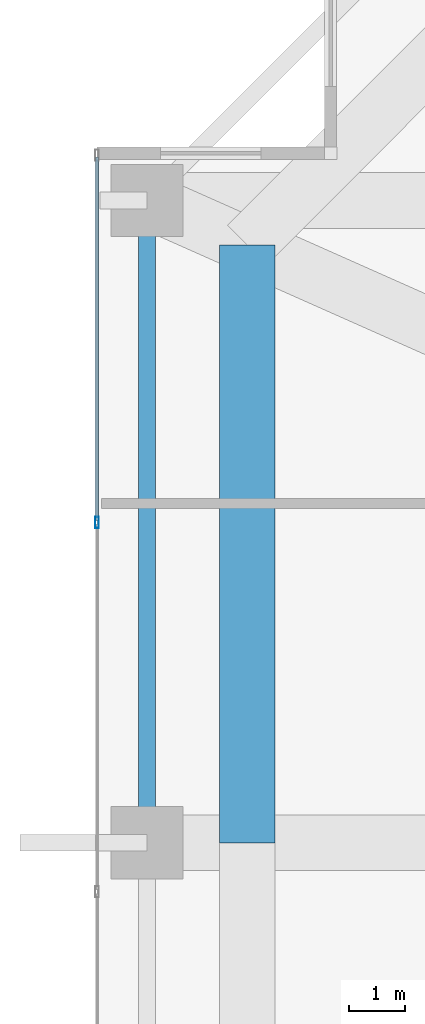
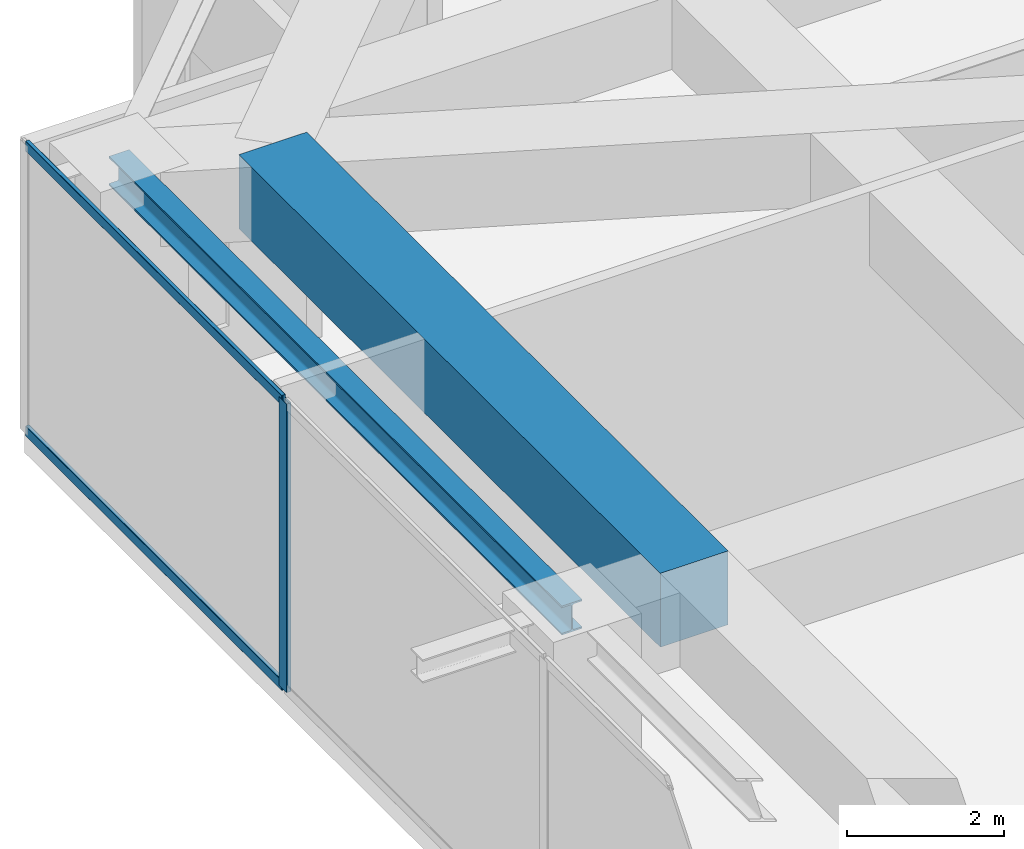
# One storey, part 18 of 35: 3 members, 2 beams, 1 element without a shape of its own.
"""IFC4 building model written with IfcOpenShell, lengths in metres."""

import ifcopenshell
import ifcopenshell.guid

model = None  # the IFC model being written
_history = None  # IfcOwnerHistory: only IFC2X3 demands one
_inside = {}  # id of a spatial element -> (the spatial element, [elements in it])
_under = {}  # id of a project, library or spatial element -> (it, [spatial elements below it])
_declared = {}  # id of a project -> (the project, [libraries it declares])
_typed = {}  # id of a type object -> (the type object, [elements of that type])
_made_of = {}  # id of a material, layer set ... -> (it, [elements and type objects made of it])


def new_model(schema):
    """Start an empty IFC model of exactly this schema.

    Asked for "IFC4X3", IfcOpenShell would pick the latest addendum, in which some entities
    have other attributes; the version numbers below select the first issue.
    IFC2X3 requires an IfcOwnerHistory on every rooted entity: one is made here for all.
    """
    global model, _history
    if schema == "IFC4X3":
        model = ifcopenshell.file(schema_version=(4, 3, 0, 0))
    else:
        model = ifcopenshell.file(schema=schema)
    _inside.clear()
    _under.clear()
    _declared.clear()
    _typed.clear()
    _made_of.clear()
    _history = None
    if model.schema == "IFC2X3":
        org = make("IfcOrganization", Name="unknown")
        user = make(
            "IfcPersonAndOrganization",
            ThePerson=make("IfcPerson", FamilyName="unknown"),
            TheOrganization=org,
        )
        app = make(
            "IfcApplication",
            ApplicationDeveloper=org,
            Version="unknown",
            ApplicationFullName="unknown",
            ApplicationIdentifier="unknown",
        )
        _history = make(
            "IfcOwnerHistory",
            OwningUser=user,
            OwningApplication=app,
            ChangeAction="ADDED",
            CreationDate=0,
        )
    return model


def make(cls, **values):
    """One entity of the class cls with the attributes given. An attribute that is None is left unset."""
    return model.create_entity(
        cls, **{name: value for name, value in values.items() if value is not None}
    )


def rooted(cls, **values):
    """An entity with a GlobalId (a new one), such as an element, a storey or a relation."""
    return make(cls, GlobalId=ifcopenshell.guid.new(), OwnerHistory=_history, **values)


def si_unit(unit_type, name, prefix=None):
    """IfcSIUnit, for example si_unit("LENGTHUNIT", "METRE", prefix="MILLI")."""
    return make("IfcSIUnit", UnitType=unit_type, Prefix=prefix, Name=name)


def assignment(units):
    """IfcUnitAssignment: the units of a project."""
    return None if units is None else make("IfcUnitAssignment", Units=units)


def point(xyz):
    """IfcCartesianPoint."""
    return None if xyz is None else make("IfcCartesianPoint", Coordinates=xyz)


def direction(xyz):
    """IfcDirection."""
    return None if xyz is None else make("IfcDirection", DirectionRatios=xyz)


def frame(location, z_axis=None, x_axis=None):
    """IfcAxis2Placement3D, a coordinate frame: its origin and axes. An axis left out is left unset."""
    return make(
        "IfcAxis2Placement3D",
        Location=point(location),
        Axis=direction(z_axis),
        RefDirection=direction(x_axis),
    )


def frame_2d(location, x_axis=None):
    """IfcAxis2Placement2D, a coordinate frame in the plane: its origin and x axis."""
    return make(
        "IfcAxis2Placement2D", Location=point(location), RefDirection=direction(x_axis)
    )


def origin():
    """The frame at (0, 0, 0) with its axes left unset."""
    return frame((0.0, 0.0, 0.0))


def origin_2d():
    """The frame at (0, 0) in the plane with its x axis left unset."""
    return frame_2d((0.0, 0.0))


def place(relative_to, where):
    """IfcLocalPlacement: puts the frame where relative to a parent placement (None: the world)."""
    return make(
        "IfcLocalPlacement", PlacementRelTo=relative_to, RelativePlacement=where
    )


def context(
    kind, dimensions, precision=None, world=None, true_north=None, identifier=None
):
    """IfcGeometricRepresentationContext, for example the 3D "Model" context."""
    return make(
        "IfcGeometricRepresentationContext",
        ContextIdentifier=identifier,
        ContextType=kind,
        CoordinateSpaceDimension=dimensions,
        Precision=precision,
        WorldCoordinateSystem=world,
        TrueNorth=true_north,
    )


def subcontext(parent, identifier, kind, view, scale=None):
    """IfcGeometricRepresentationSubContext, for example "Body" below "Model"."""
    return make(
        "IfcGeometricRepresentationSubContext",
        ContextIdentifier=identifier,
        ContextType=kind,
        ParentContext=parent,
        TargetScale=scale,
        TargetView=view,
    )


def project(units=None, contexts=None):
    """IfcProject with its units and contexts."""
    return rooted(
        "IfcProject",
        Name="project",
        RepresentationContexts=contexts,
        UnitsInContext=assignment(units),
    )


def spatial(cls, under=None, at=None, **own):
    """A site, building, storey or space (cls), placed at a placement, below another one or the project."""
    s = rooted(cls, ObjectPlacement=at, **own)
    if under is not None:
        _under.setdefault(under.id(), (under, []))[1].append(s)
    return s


def profile(cls, at=None, kind="AREA", **sizes):
    """A parametric profile (cls). Its sizes go by their IFC names, for example OverallWidth=200.0."""
    return make(cls, ProfileType=kind, Position=at, **sizes)


def rectangle(**sizes):
    """IfcRectangleProfileDef."""
    return profile("IfcRectangleProfileDef", **sizes)


def hollow_rectangle(**sizes):
    """IfcRectangleHollowProfileDef."""
    return profile("IfcRectangleHollowProfileDef", **sizes)


def i_section(**sizes):
    """IfcIShapeProfileDef."""
    return profile("IfcIShapeProfileDef", **sizes)


def extrude(swept, where, along, depth):
    """IfcExtrudedAreaSolid: the profile swept, set in the frame where, extruded along a direction by depth."""
    return make(
        "IfcExtrudedAreaSolid",
        SweptArea=swept,
        Position=where,
        ExtrudedDirection=direction(along),
        Depth=depth,
    )


def shape(context_of_items, identifier, shape_type, items):
    """IfcShapeRepresentation: the items that make up one representation, for example the "Body"."""
    return make(
        "IfcShapeRepresentation",
        ContextOfItems=context_of_items,
        RepresentationIdentifier=identifier,
        RepresentationType=shape_type,
        Items=items,
    )


def source(mapping_origin, context_of_items, identifier, shape_type, items):
    """IfcRepresentationMap: a shape defined once, which mapped items show again and again."""
    return make(
        "IfcRepresentationMap",
        MappingOrigin=mapping_origin,
        MappedRepresentation=shape(context_of_items, identifier, shape_type, items),
    )


def transform(
    local_origin,
    x_axis=None,
    y_axis=None,
    z_axis=None,
    scale=None,
    scale2=None,
    scale3=None,
    uniform=True,
):
    """IfcCartesianTransformationOperator3D, or its non-uniform kind. x_axis, y_axis, z_axis: its Axis1, 2, 3."""
    if uniform:
        return make(
            "IfcCartesianTransformationOperator3D",
            Axis1=direction(x_axis),
            Axis2=direction(y_axis),
            LocalOrigin=point(local_origin),
            Scale=scale,
            Axis3=direction(z_axis),
        )
    return make(
        "IfcCartesianTransformationOperator3DnonUniform",
        Axis1=direction(x_axis),
        Axis2=direction(y_axis),
        LocalOrigin=point(local_origin),
        Scale=scale,
        Axis3=direction(z_axis),
        Scale2=scale2,
        Scale3=scale3,
    )


def mapped(mapping_source, mapping_target):
    """IfcMappedItem: shows the shape of a source again, moved by a transform."""
    return make(
        "IfcMappedItem", MappingSource=mapping_source, MappingTarget=mapping_target
    )


def material(Name=None, Category=None):
    """IfcMaterial."""
    return make("IfcMaterial", Name=Name, Category=Category)


def layer(
    of_material, thickness, ventilated=None, Name=None, Category=None, Priority=None
):
    """IfcMaterialLayer: one layer of a wall or slab, of a material (None: an air gap)."""
    return make(
        "IfcMaterialLayer",
        Material=of_material,
        LayerThickness=thickness,
        IsVentilated=ventilated,
        Name=Name,
        Category=Category,
        Priority=Priority,
    )


def layer_set(layers, Name=None):
    """IfcMaterialLayerSet."""
    return make("IfcMaterialLayerSet", MaterialLayers=layers, LayerSetName=Name)


def material_profile(
    of_material, cross_section, Name=None, Category=None, Priority=None
):
    """IfcMaterialProfile: a cross section and its material."""
    return make(
        "IfcMaterialProfile",
        Name=Name,
        Material=of_material,
        Profile=cross_section,
        Priority=Priority,
        Category=Category,
    )


def profile_set(profiles, Name=None, composite=None):
    """IfcMaterialProfileSet."""
    return make(
        "IfcMaterialProfileSet",
        Name=Name,
        MaterialProfiles=profiles,
        CompositeProfile=composite,
    )


def made_of(thing, what):
    """Note that an element or type object is made of a material, layer set ...; save() writes the relation."""
    if what is not None:
        _made_of.setdefault(what.id(), (what, []))[1].append(thing)
    return thing


def type_object(cls, material=None, **own):
    """A type object (cls), such as IfcWallType, which elements share."""
    return made_of(rooted(cls, **own), material)


def element(
    cls,
    number,
    at=None,
    inside=None,
    cuts=None,
    type_object=None,
    material=None,
    context=None,
    identifier="Body",
    shape_type=None,
    held_by="IfcProductDefinitionShape",
    body=None,
    shapes=None,
    **own,
):
    """One element of the class cls, such as IfcWall. Its Tag is "e" and its number.

    at: its placement. inside: the storey or other place that contains it. cuts: it is an
    opening in that element (IfcRelVoidsElement). A single representation is given by context,
    identifier, shape_type and body (its items); several are given by shapes. held_by: the class
    of the entity that holds the representations. save() writes the other relations.
    """
    e = rooted(cls, Tag="e%d" % number, ObjectPlacement=at, **own)
    if body is not None:
        shapes = [shape(context, identifier, shape_type, body)]
    if shapes is not None:
        e.Representation = make(held_by, Representations=shapes)
    if inside is not None:
        _inside.setdefault(inside.id(), (inside, []))[1].append(e)
    if cuts is not None:
        rooted(
            "IfcRelVoidsElement", RelatingBuildingElement=cuts, RelatedOpeningElement=e
        )
    if type_object is not None:
        _typed.setdefault(type_object.id(), (type_object, []))[1].append(e)
    return made_of(e, material)


def aggregate(whole, parts):
    """IfcRelAggregates: a whole, such as a stair, and the parts it consists of."""
    return rooted("IfcRelAggregates", RelatingObject=whole, RelatedObjects=parts)


def save(model, path):
    """Write the relations noted so far, then the file.

    IfcRelAggregates (storeys below a building ...), IfcRelContainedInSpatialStructure (elements
    in a storey), IfcRelDefinesByType, IfcRelAssociatesMaterial and IfcRelDeclares: one each for
    every whole, place, type object, material and project.
    """
    for whole, parts in _under.values():
        aggregate(whole, parts)
    for where, things in _inside.values():
        rooted(
            "IfcRelContainedInSpatialStructure",
            RelatedElements=things,
            RelatingStructure=where,
        )
    for kind, things in _typed.values():
        rooted("IfcRelDefinesByType", RelatedObjects=things, RelatingType=kind)
    for what, things in _made_of.values():
        rooted("IfcRelAssociatesMaterial", RelatedObjects=things, RelatingMaterial=what)
    for by, libraries in _declared.values():
        rooted("IfcRelDeclares", RelatingContext=by, RelatedDefinitions=libraries)
    model.write(path)


model = new_model("IFC4")

# Units and contexts
model_context = context("Model", 3, precision=1e-05, world=origin(), true_north=direction((0.0, 1.0)))
body_context = subcontext(model_context, "Body", "Model", "MODEL_VIEW")
ifc_project = project(units=[si_unit("LENGTHUNIT", "METRE"), si_unit("AREAUNIT", "SQUARE_METRE"), si_unit("VOLUMEUNIT", "CUBIC_METRE"), si_unit("PLANEANGLEUNIT", "RADIAN"), si_unit("MASSUNIT", "GRAM", prefix="KILO")], contexts=[model_context])

# Site, building, storey
site_placement = place(None, origin())
site = spatial("IfcSite", under=ifc_project, at=site_placement, CompositionType="ELEMENT")
building_placement = place(site_placement, origin())
building = spatial("IfcBuilding", under=site, at=building_placement, Name="Serunith Strait Residences", CompositionType="ELEMENT")
storey_placement = place(building_placement, frame((0.0, 0.0, 115.199951171875)))
storey = spatial("IfcBuildingStorey", under=building, at=storey_placement, Name="L28", CompositionType="ELEMENT", Elevation=115.199951171875)

# Beams
ifc_material_1 = material(Name="Steel S355J2", Category="steel")
ifc_material_profile_1 = material_profile(ifc_material_1, i_section(OverallWidth=0.300048828125, OverallDepth=0.449951171875, WebThickness=0.013916015625, FlangeThickness=0.02587890625, FilletRadius=0.027099609375, at=origin_2d()), Name="HEB 450")
ifc_profile_set_1 = profile_set([ifc_material_profile_1], Name="Steel S355J2")
beam_type_1 = type_object("IfcBeamType", Name="BM-HEB450", PredefinedType="BEAM", material=ifc_profile_set_1)
shared_shape_1 = source(origin(), body_context, "Body", "SweptSolid", [
    extrude(i_section(OverallWidth=0.300048828125, OverallDepth=0.449951171875, WebThickness=0.013916015625, FlangeThickness=0.02587890625, FilletRadius=0.027099609375, at=origin_2d()), origin(), (0.0, 0.0, 1.0), 11.550048828125),
])
beam_1_placement = place(storey_placement, frame((6.89990234375, 40.949951171875, 4.281982421875), z_axis=(0.0, -1.0, 0.0), x_axis=(1.0, 0.0, 0.0)))
element("IfcBeam", 1, at=beam_1_placement, inside=storey, type_object=beam_type_1, Name="L28 Perimeter Ring Beam 13", PredefinedType="BEAM", context=body_context, shape_type="MappedRepresentation", body=[
    mapped(shared_shape_1, transform((0.0, 0.0, 0.0), scale=1.0)),
])
ifc_material_2 = material(Name="Concrete C80/95", Category="concrete")
ifc_material_profile_2 = material_profile(ifc_material_2, rectangle(XDim=1.0, YDim=1.14990234375, at=origin_2d()), Name="RC 1000x1150")
ifc_profile_set_2 = profile_set([ifc_material_profile_2], Name="Concrete C80/95")
beam_type_2 = type_object("IfcBeamType", Name="BM-XFER-1000x1150", PredefinedType="BEAM", material=ifc_profile_set_2)
shared_shape_2 = source(origin(), body_context, "Body", "SweptSolid", [
    extrude(rectangle(XDim=1.0, YDim=1.14990234375, at=origin_2d()), origin(), (0.0, 0.0, 1.0), 10.75),
])
beam_2_placement = place(storey_placement, frame((8.699951171875, 40.14990234375, 3.93505859375), z_axis=(0.0, -1.0, 0.0), x_axis=(1.0, 0.0, 0.0)))
element("IfcBeam", 2, at=beam_2_placement, inside=storey, type_object=beam_type_2, Name="L28 Flare Upper Ring Transfer Girder 13", PredefinedType="BEAM", context=body_context, shape_type="MappedRepresentation", body=[
    mapped(shared_shape_2, transform((0.0, 0.0, 0.0), scale=1.0)),
])

# Curtain wall, members
ifc_material_3 = material(Name="Pale-Champagne Anodised Aluminium", Category="aluminium")
ifc_layer = layer(ifc_material_3, 0.199951171875, Name="Pale-Champagne Anodised Aluminium")
ifc_layer_set = layer_set([ifc_layer], Name="Pale-Champagne Anodised Aluminium")
curtain_wall_type = type_object("IfcCurtainWallType", Name="CW-SYS1", PredefinedType="NOTDEFINED", material=ifc_layer_set)
curtain_wall_placement = place(storey_placement, origin())
curtain_wall = element("IfcCurtainWall", 3, at=curtain_wall_placement, inside=storey, type_object=curtain_wall_type, Name="L28 W Unitised Fritted Curtain Wall", PredefinedType="NOTDEFINED")
ifc_material_profile_3 = material_profile(ifc_material_3, hollow_rectangle(XDim=0.06005859375, YDim=0.159912109375, WallThickness=0.00341796875, InnerFilletRadius=0.00537109375, OuterFilletRadius=0.0087890625, at=origin_2d()), Name="ALU 160x60x3.5")
ifc_profile_set_3 = profile_set([ifc_material_profile_3], Name="Pale-Champagne Anodised Aluminium")
member_type_1 = type_object("IfcMemberType", Name="CW-SYS1-TRAN", PredefinedType="USERDEFINED", material=ifc_profile_set_3)
shared_shape_3 = source(origin(), body_context, "Body", "SweptSolid", [
    extrude(hollow_rectangle(XDim=0.06005859375, YDim=0.159912109375, WallThickness=0.00341796875, InnerFilletRadius=0.00537109375, OuterFilletRadius=0.0087890625, at=origin_2d()), origin(), (0.0, 0.0, 1.0), 6.534912109375),
])
member_1_placement = place(storey_placement, frame((6.0, 41.72998046875, 0.030029296875), z_axis=(0.0, -1.0, 0.0), x_axis=(1.0, 0.0, 0.0)))
member_1 = element("IfcMember", 4, at=member_1_placement, type_object=member_type_1, Name="CW-1 transom 1.1", ObjectType="TRANSOM", PredefinedType="USERDEFINED", context=body_context, shape_type="MappedRepresentation", body=[
    mapped(shared_shape_3, transform((0.0, 0.0, 0.0), scale=1.0)),
])
member_2_placement = place(storey_placement, frame((6.0, 41.72998046875, 4.465087890625), z_axis=(0.0, -1.0, 0.0), x_axis=(1.0, 0.0, 0.0)))
member_2 = element("IfcMember", 5, at=member_2_placement, type_object=member_type_1, Name="CW-1 transom 1.2", ObjectType="TRANSOM", PredefinedType="USERDEFINED", context=body_context, shape_type="MappedRepresentation", body=[
    mapped(shared_shape_3, transform((0.0, 0.0, 0.0), scale=1.0)),
])
ifc_material_profile_4 = material_profile(ifc_material_3, hollow_rectangle(XDim=0.070068359375, YDim=0.199951171875, WallThickness=0.00390625, InnerFilletRadius=0.006103515625, OuterFilletRadius=0.010009765625, at=origin_2d()), Name="ALU 200x70x4")
ifc_profile_set_4 = profile_set([ifc_material_profile_4], Name="Pale-Champagne Anodised Aluminium")
member_type_2 = type_object("IfcMemberType", Name="CW-SYS1-MULL", PredefinedType="MULLION", material=ifc_profile_set_4)
shared_shape_4 = source(origin(), body_context, "Body", "SweptSolid", [
    extrude(hollow_rectangle(XDim=0.070068359375, YDim=0.199951171875, WallThickness=0.00390625, InnerFilletRadius=0.006103515625, OuterFilletRadius=0.010009765625, at=origin_2d()), origin(), (0.0, 0.0, 1.0), 4.4951171875),
])
member_3_placement = place(storey_placement, frame((6.0, 35.159912109375, 0.0), z_axis=(0.0, 0.0, 1.0), x_axis=(1.0, 0.0, 0.0)))
member_3 = element("IfcMember", 6, at=member_3_placement, type_object=member_type_2, Name="CW-1 mullion 2", PredefinedType="MULLION", context=body_context, shape_type="MappedRepresentation", body=[
    mapped(shared_shape_4, transform((0.0, 0.0, 0.0), scale=1.0)),
])
aggregate(curtain_wall, [member_3, member_1, member_2])

save(model, "model.ifc")
